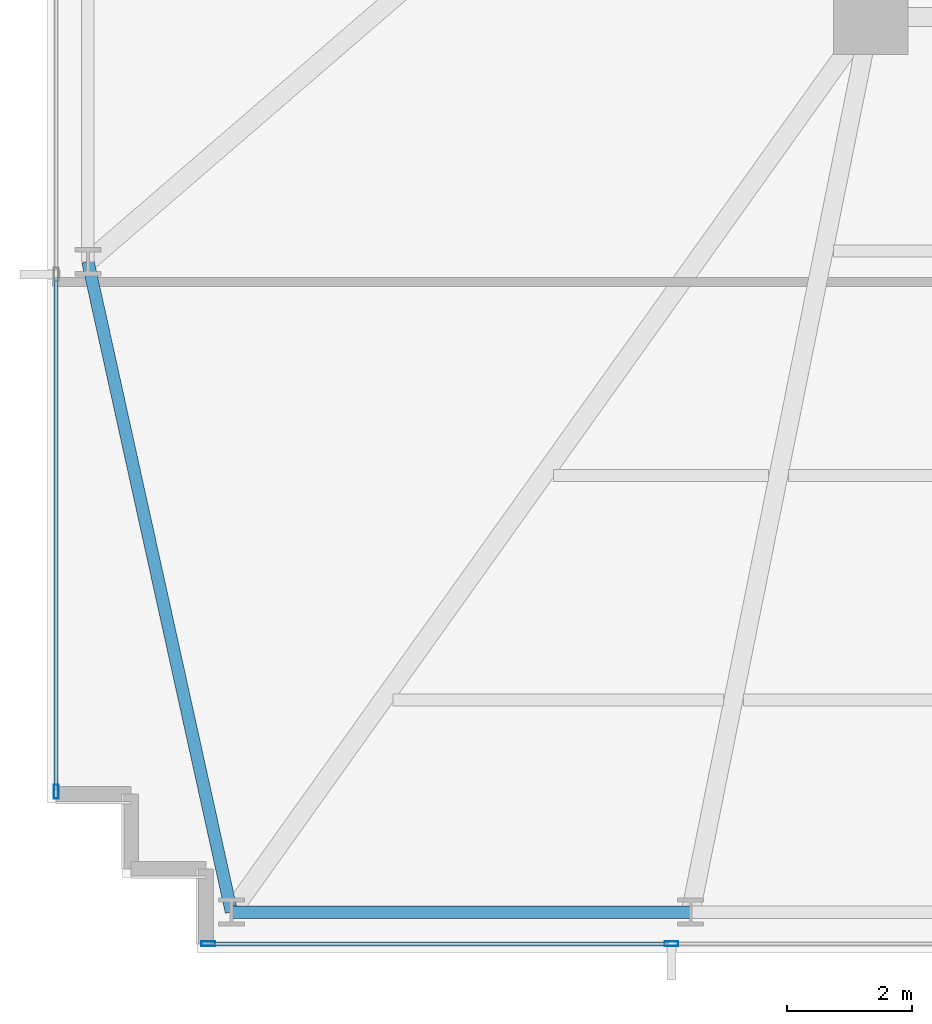
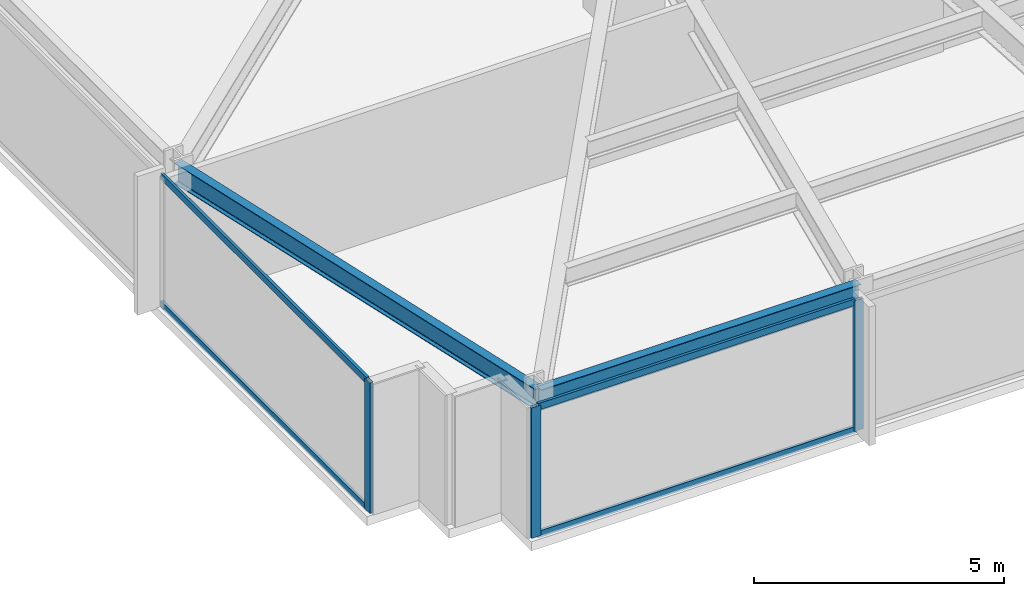
# One storey, part 2 of 33: 7 members, 2 beams, 2 elements without a shape of their own.
"""IFC4 building model written with IfcOpenShell, lengths in metres."""

from ifc_helpers import new_model, si_unit, direction, frame, origin, origin_2d, place, context, subcontext, project, spatial, hollow_rectangle, i_section, extrude, material, material_profile, profile_set, type_object, element, aggregate, save


model = new_model("IFC4")

# Units and contexts
model_context = context("Model", 3, precision=1e-05, world=origin(), true_north=direction((0.0, 1.0)))
body_context = subcontext(model_context, "Body", "Model", "MODEL_VIEW")
ifc_project = project(units=[si_unit("LENGTHUNIT", "METRE"), si_unit("AREAUNIT", "SQUARE_METRE"), si_unit("VOLUMEUNIT", "CUBIC_METRE"), si_unit("PLANEANGLEUNIT", "RADIAN"), si_unit("MASSUNIT", "GRAM", prefix="KILO")], contexts=[model_context])

# Site, building, storey
site_placement = place(None, origin())
site = spatial("IfcSite", under=ifc_project, at=site_placement, CompositionType="ELEMENT")
building_placement = place(site_placement, origin())
building = spatial("IfcBuilding", under=site, at=building_placement, Name="Yelkora Congress Tower", CompositionType="ELEMENT")
storey_placement = place(building_placement, frame((0.0, 0.0, 37.199951171875)))
storey = spatial("IfcBuildingStorey", under=building, at=storey_placement, Name="L08", CompositionType="ELEMENT", Elevation=37.199951171875)

# Beams
ifc_material_1 = material(Name="Steel S355J2", Category="steel")
ifc_material_profile_1 = material_profile(ifc_material_1, i_section(OverallWidth=0.199951171875, OverallDepth=0.5, WebThickness=0.01025390625, FlangeThickness=0.01611328125, FilletRadius=0.02099609375, at=origin_2d()), Name="IPE 500")
ifc_profile_set_1 = profile_set([ifc_material_profile_1], Name="Steel S355J2")
beam_type = type_object("IfcBeamType", Name="BM-SPAN-IPE500", PredefinedType="SPANDREL", material=ifc_profile_set_1)
beam_1_placement = place(storey_placement, frame((6.64990234375, 21.27490234375, 2.929931640625), z_axis=(0.215450706142, -0.976514717361, 0.0), x_axis=(0.976514717361, 0.215450706142, 0.0)))
element("IfcBeam", 1, at=beam_1_placement, inside=storey, type_object=beam_type, Name="L08 Perimeter Beam 1", PredefinedType="SPANDREL", context=body_context, shape_type="SweptSolid", body=[
    extrude(i_section(OverallWidth=0.199951171875, OverallDepth=0.5, WebThickness=0.01025390625, FlangeThickness=0.01611328125, FilletRadius=0.02099609375, at=origin_2d()), origin(), (0.0, 0.0, 1.0), 10.675537109375),
])
beam_2_placement = place(storey_placement, frame((8.949951171875, 10.85009765625, 2.929931640625), z_axis=(1.0, 0.0, 0.0), x_axis=(0.0, 1.0, 0.0)))
element("IfcBeam", 2, at=beam_2_placement, inside=storey, type_object=beam_type, Name="L08 Perimeter Beam 2", PredefinedType="SPANDREL", context=body_context, shape_type="SweptSolid", body=[
    extrude(i_section(OverallWidth=0.199951171875, OverallDepth=0.5, WebThickness=0.01025390625, FlangeThickness=0.01611328125, FilletRadius=0.02099609375, at=origin_2d()), origin(), (0.0, 0.0, 1.0), 7.362548828125),
])

# Curtain wall, member
ifc_material_2 = material(Name="Anodised aluminium and insulated glass", Category="aluminium")
curtain_wall_type = type_object("IfcCurtainWallType", Name="CW-SYS-B1", PredefinedType="NOTDEFINED", material=ifc_material_2)
curtain_wall_1_placement = place(storey_placement, origin())
curtain_wall_1 = element("IfcCurtainWall", 3, at=curtain_wall_1_placement, inside=storey, type_object=curtain_wall_type, Name="L08 Unitised Curtain Wall 5", PredefinedType="NOTDEFINED")
ifc_material_3 = material(Name="Anodised aluminium 6063-T6", Category="aluminium")
ifc_material_profile_2 = material_profile(ifc_material_3, hollow_rectangle(XDim=0.074951171875, YDim=0.219970703125, WallThickness=0.0048828125, at=origin_2d()), Name="ALU 75x220x5")
ifc_profile_set_2 = profile_set([ifc_material_profile_2], Name="Anodised aluminium 6063-T6")
member_type_1 = type_object("IfcMemberType", Name="MEM-ML-B1", PredefinedType="MULLION", material=ifc_profile_set_2)
member_1_placement = place(storey_placement, frame((6.139892578125, 12.777587890625, 0.0), z_axis=(0.0, 0.0, 1.0), x_axis=(-1.0, 0.0, 0.0)))
member_1 = element("IfcMember", 4, at=member_1_placement, type_object=member_type_1, Name="CW-B1 mullion 1", PredefinedType="MULLION", context=body_context, shape_type="SweptSolid", body=[
    extrude(hollow_rectangle(XDim=0.074951171875, YDim=0.219970703125, WallThickness=0.0048828125, at=origin_2d()), origin(), (0.0, 0.0, 1.0), 3.179931640625),
])

# Curtain wall, members
curtain_wall_2_placement = place(storey_placement, origin())
curtain_wall_2 = element("IfcCurtainWall", 5, at=curtain_wall_2_placement, inside=storey, type_object=curtain_wall_type, Name="L08 Unitised Curtain Wall 20", PredefinedType="NOTDEFINED")
member_2_placement = place(storey_placement, frame((16.0048828125, 10.340087890625, 0.0), z_axis=(0.0, 0.0, 1.0), x_axis=(0.0, -1.0, 0.0)))
member_2 = element("IfcMember", 6, at=member_2_placement, type_object=member_type_1, Name="CW-B1 mullion 8", PredefinedType="MULLION", context=body_context, shape_type="SweptSolid", body=[
    extrude(hollow_rectangle(XDim=0.074951171875, YDim=0.219970703125, WallThickness=0.0048828125, at=origin_2d()), origin(), (0.0, 0.0, 1.0), 3.179931640625),
])
member_3_placement = place(storey_placement, frame((8.577392578125, 10.340087890625, 0.0), z_axis=(0.0, 0.0, 1.0), x_axis=(0.0, -1.0, 0.0)))
member_3 = element("IfcMember", 7, at=member_3_placement, type_object=member_type_1, Name="CW-B1 mullion 9", PredefinedType="MULLION", context=body_context, shape_type="SweptSolid", body=[
    extrude(hollow_rectangle(XDim=0.074951171875, YDim=0.219970703125, WallThickness=0.0048828125, at=origin_2d()), origin(), (0.0, 0.0, 1.0), 3.179931640625),
])

# Member
ifc_material_profile_3 = material_profile(ifc_material_3, hollow_rectangle(XDim=0.06494140625, YDim=0.159912109375, WallThickness=0.00390625, at=origin_2d()), Name="ALU 65x160x4")
ifc_profile_set_3 = profile_set([ifc_material_profile_3], Name="Anodised aluminium 6063-T6")
member_type_2 = type_object("IfcMemberType", Name="MEM-TR-B1", PredefinedType="USERDEFINED", material=ifc_profile_set_3)
member_4_placement = place(storey_placement, frame((6.139892578125, 12.81494140625, 0.032470703125), z_axis=(0.0, 1.0, 0.0), x_axis=(-1.0, 0.0, 0.0)))
member_4 = element("IfcMember", 8, at=member_4_placement, type_object=member_type_2, Name="CW-B1 transom 1.1", ObjectType="TRANSOM", PredefinedType="USERDEFINED", context=body_context, shape_type="SweptSolid", body=[
    extrude(hollow_rectangle(XDim=0.06494140625, YDim=0.159912109375, WallThickness=0.00390625, at=origin_2d()), origin(), (0.0, 0.0, 1.0), 8.217529296875),
])

member_5_placement = place(storey_placement, frame((6.139892578125, 12.81494140625, 3.1474609375), z_axis=(0.0, 1.0, 0.0), x_axis=(-1.0, 0.0, 0.0)))
member_5 = element("IfcMember", 9, at=member_5_placement, type_object=member_type_2, Name="CW-B1 transom 1.2", ObjectType="TRANSOM", PredefinedType="USERDEFINED", context=body_context, shape_type="SweptSolid", body=[
    extrude(hollow_rectangle(XDim=0.06494140625, YDim=0.159912109375, WallThickness=0.00390625, at=origin_2d()), origin(), (0.0, 0.0, 1.0), 8.217529296875),
])

aggregate(curtain_wall_1, [member_1, member_4, member_5])

member_6_placement = place(storey_placement, frame((15.967529296875, 10.340087890625, 0.032470703125), z_axis=(-1.0, 0.0, 0.0), x_axis=(0.0, -1.0, 0.0)))
member_6 = element("IfcMember", 10, at=member_6_placement, type_object=member_type_2, Name="CW-B1 transom 8.1", ObjectType="TRANSOM", PredefinedType="USERDEFINED", context=body_context, shape_type="SweptSolid", body=[
    extrude(hollow_rectangle(XDim=0.06494140625, YDim=0.159912109375, WallThickness=0.00390625, at=origin_2d()), origin(), (0.0, 0.0, 1.0), 7.3525390625),
])

member_7_placement = place(storey_placement, frame((15.967529296875, 10.340087890625, 3.1474609375), z_axis=(-1.0, 0.0, 0.0), x_axis=(0.0, -1.0, 0.0)))
member_7 = element("IfcMember", 11, at=member_7_placement, type_object=member_type_2, Name="CW-B1 transom 8.2", ObjectType="TRANSOM", PredefinedType="USERDEFINED", context=body_context, shape_type="SweptSolid", body=[
    extrude(hollow_rectangle(XDim=0.06494140625, YDim=0.159912109375, WallThickness=0.00390625, at=origin_2d()), origin(), (0.0, 0.0, 1.0), 7.3525390625),
])

aggregate(curtain_wall_2, [member_2, member_3, member_6, member_7])

save(model, "model.ifc")
